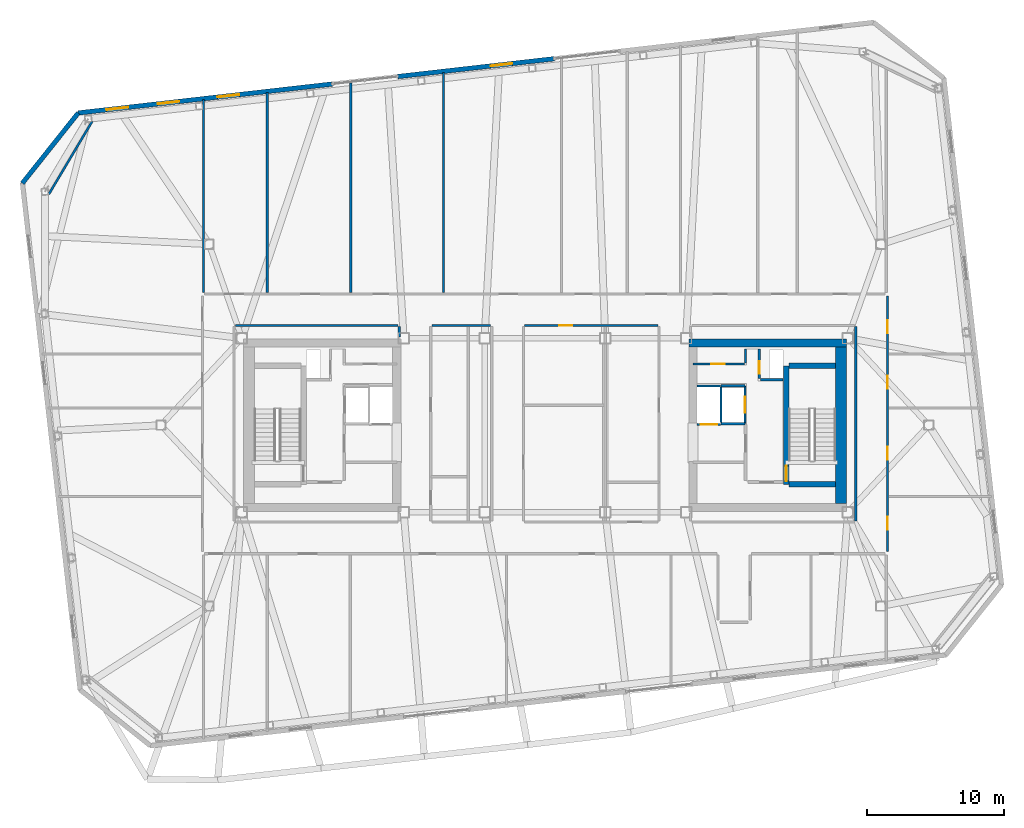
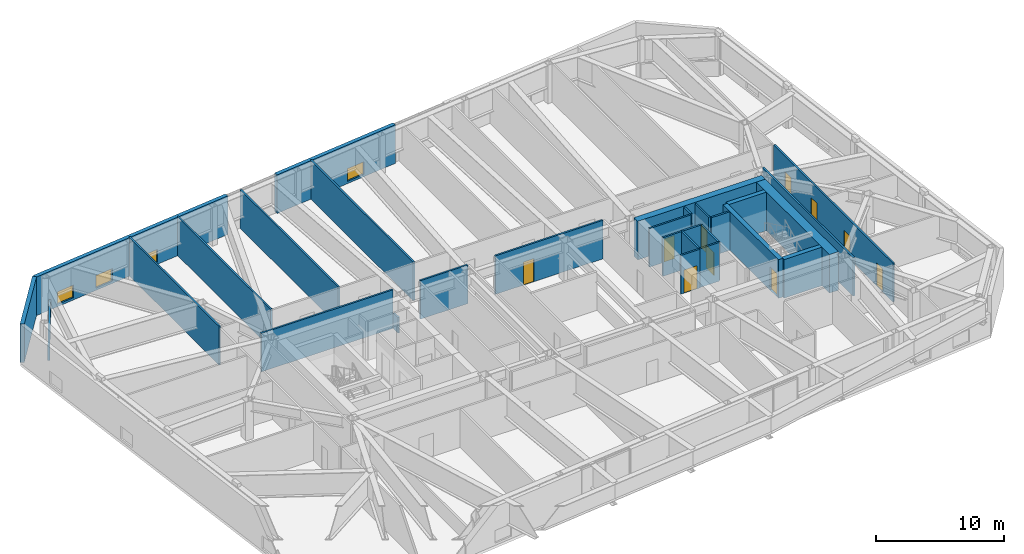
# One storey, part 14 of 18: 29 walls, 10 doors, 4 windows, 14 openings.
"""IFC4 building model written with IfcOpenShell, lengths in metres."""

from ifc_helpers import new_model, si_unit, direction, frame, frame_2d, origin, place, context, subcontext, project, spatial, rectangle, extrude, material, layer, layer_set, type_object, element, fill, save


model = new_model("IFC4")

# Units and contexts
model_context = context("Model", 3, precision=1e-05, world=origin(), true_north=direction((0.0, 1.0)))
body_context = subcontext(model_context, "Body", "Model", "MODEL_VIEW")
ifc_project = project(units=[si_unit("LENGTHUNIT", "METRE"), si_unit("AREAUNIT", "SQUARE_METRE"), si_unit("VOLUMEUNIT", "CUBIC_METRE"), si_unit("PLANEANGLEUNIT", "RADIAN"), si_unit("MASSUNIT", "GRAM", prefix="KILO")], contexts=[model_context])

# Site, building, storey
site_placement = place(None, origin())
site = spatial("IfcSite", under=ifc_project, at=site_placement, CompositionType="ELEMENT")
building_placement = place(site_placement, origin())
building = spatial("IfcBuilding", under=site, at=building_placement, Name="Tavrogorsk Clinical Tower", CompositionType="ELEMENT")
storey_placement = place(building_placement, frame((0.0, 0.0, 267.0)))
storey = spatial("IfcBuildingStorey", under=building, at=storey_placement, Name="L62", CompositionType="ELEMENT", Elevation=267.0)

# Wall, opening, door
ifc_material_1 = material(Name="Lightweight concrete blockwork B15", Category="masonry")
ifc_layer_1 = layer(ifc_material_1, 0.159912109375)
ifc_layer_set_1 = layer_set([ifc_layer_1], Name="Lightweight concrete blockwork B15")
wall_type_1 = type_object("IfcWallType", Name="PartitionWall_160", PredefinedType="PARTITIONING", material=ifc_layer_set_1)
wall_1_placement = place(storey_placement, frame((10.800048828125, 4.4599609375, 0.0), z_axis=(0.0, 0.0, 1.0), x_axis=(1.0, 0.0, 0.0)))
wall_1 = element("IfcWall", 1, at=wall_1_placement, inside=storey, type_object=wall_type_1, Name="L62 Core East Pneumatic Dispatch South Wall", PredefinedType="PARTITIONING", context=body_context, shape_type="SweptSolid", body=[
    extrude(rectangle(XDim=3.7548828125, YDim=0.159912109375, at=frame_2d((1.87744140625, 0.0))), origin(), (0.0, 0.0, 1.0), 3.679931640625),
])
opening_1_placement = place(wall_1_placement, frame((1.35009765625, 0.0, 0.0)))
opening_1 = element("IfcOpeningElement", 2, at=opening_1_placement, cuts=wall_1, Name="Opening ID-02", PredefinedType="OPENING", context=body_context, shape_type="SweptSolid", body=[
    extrude(rectangle(XDim=0.949951171875, YDim=2.199951171875, at=frame_2d((0.47509765625, 1.10009765625))), frame((0.0, 0.08984375, 0.0), z_axis=(0.0, -1.0, 0.0), x_axis=(1.0, 0.0, 0.0)), (0.0, 0.0, 1.0), 0.179931640625),
])
ifc_material_2 = material(Name="Laminated timber leaf on aluminium frame", Category="wood")
door_type_1 = type_object("IfcDoorType", Name="InteriorDoor_ID02_950", OperationType="NOTDEFINED", PredefinedType="DOOR", material=ifc_material_2)
door_1_placement = place(opening_1_placement, origin())
door_1 = element("IfcDoor", 3, at=door_1_placement, inside=storey, type_object=door_type_1, Name="L62 Core East Pneumatic Dispatch Door", OperationType="SINGLE_SWING_LEFT", OverallHeight=2.199951171875, OverallWidth=0.949951171875, PredefinedType="DOOR", context=body_context, shape_type="SweptSolid", body=[
    extrude(rectangle(XDim=0.949951171875, YDim=2.199951171875, at=frame_2d((0.47509765625, 1.10009765625))), frame((0.0, 0.02490234375, 0.0), z_axis=(0.0, -1.0, 0.0), x_axis=(1.0, 0.0, 0.0)), (0.0, 0.0, 1.0), 0.050048828125),
])
fill(opening_1, door_1)

# Walls
wall_2_placement = place(storey_placement, frame((14.639892578125, 4.544921875, 0.0), z_axis=(0.0, 0.0, 1.0), x_axis=(0.0, 1.0, 0.0)))
element("IfcWall", 4, at=wall_2_placement, inside=storey, type_object=wall_type_1, Name="L62 Core East Pneumatic Dispatch East Wall", PredefinedType="PARTITIONING", context=body_context, shape_type="SweptSolid", body=[
    extrude(rectangle(XDim=1.01513671875, YDim=0.159912109375, at=frame_2d((0.507568359375, 0.0))), origin(), (0.0, 0.0, 1.0), 3.679931640625),
])
wall_3_placement = place(storey_placement, frame((-33.016357421875, 22.17138671875, 0.0), z_axis=(0.0, 0.0, 1.0), x_axis=(-0.511385266265, -0.859351563359, 0.0)))
element("IfcWall", 5, at=wall_3_placement, inside=storey, type_object=wall_type_1, Name="L62 Corner Exoskeleton Brace Furring Wall 3", PredefinedType="PARTITIONING", context=body_context, shape_type="SweptSolid", body=[
    extrude(rectangle(XDim=6.181884765625, YDim=0.159912109375, at=frame_2d((3.0908203125, 0.0))), origin(), (0.0, 0.0, 1.0), 1.47509765625),
])

# Wall, openings, doors
wall_4_placement = place(storey_placement, frame((24.97998046875, 9.4150390625, 0.0), z_axis=(0.0, 0.0, 1.0), x_axis=(0.0, -1.0, 0.0)))
wall_4 = element("IfcWall", 6, at=wall_4_placement, inside=storey, type_object=wall_type_1, Name="L62 Corridor Partition 03", PredefinedType="PARTITIONING", context=body_context, shape_type="SweptSolid", body=[
    extrude(rectangle(XDim=18.630126953125, YDim=0.159912109375, at=frame_2d((9.31494140625, 0.0))), origin(), (0.0, 0.0, 1.0), 3.679931640625),
])
opening_2_placement = place(wall_4_placement, frame((16.080810546875, 0.0, 0.0)))
opening_2 = element("IfcOpeningElement", 7, at=opening_2_placement, cuts=wall_4, Name="Opening ID-02", PredefinedType="OPENING", context=body_context, shape_type="SweptSolid", body=[
    extrude(rectangle(XDim=0.949951171875, YDim=2.199951171875, at=frame_2d((0.47509765625, 1.10009765625))), frame((0.0, 0.08984375, 0.0), z_axis=(0.0, -1.0, 0.0), x_axis=(1.0, 0.0, 0.0)), (0.0, 0.0, 1.0), 0.179931640625),
])
opening_3_placement = place(wall_4_placement, frame((11.0, 0.0, 0.0)))
opening_3 = element("IfcOpeningElement", 8, at=opening_3_placement, cuts=wall_4, Name="Opening ID-02", PredefinedType="OPENING", context=body_context, shape_type="SweptSolid", body=[
    extrude(rectangle(XDim=0.949951171875, YDim=2.199951171875, at=frame_2d((0.47509765625, 1.10009765625))), frame((0.0, 0.08984375, 0.0), z_axis=(0.0, -1.0, 0.0), x_axis=(1.0, 0.0, 0.0)), (0.0, 0.0, 1.0), 0.179931640625),
])
opening_4_placement = place(wall_4_placement, frame((5.800048828125, 0.0, 0.0)))
opening_4 = element("IfcOpeningElement", 9, at=opening_4_placement, cuts=wall_4, Name="Opening ID-02", PredefinedType="OPENING", context=body_context, shape_type="SweptSolid", body=[
    extrude(rectangle(XDim=0.949951171875, YDim=2.199951171875, at=frame_2d((0.47509765625, 1.10009765625))), frame((0.0, 0.08984375, 0.0), z_axis=(0.0, -1.0, 0.0), x_axis=(1.0, 0.0, 0.0)), (0.0, 0.0, 1.0), 0.179931640625),
])
opening_5_placement = place(wall_4_placement, frame((1.7490234375, 0.0, 0.0)))
opening_5 = element("IfcOpeningElement", 10, at=opening_5_placement, cuts=wall_4, Name="Opening ID-02", PredefinedType="OPENING", context=body_context, shape_type="SweptSolid", body=[
    extrude(rectangle(XDim=0.949951171875, YDim=2.199951171875, at=frame_2d((0.47509765625, 1.10009765625))), frame((0.0, 0.08984375, 0.0), z_axis=(0.0, -1.0, 0.0), x_axis=(1.0, 0.0, 0.0)), (0.0, 0.0, 1.0), 0.179931640625),
])
door_2_placement = place(opening_2_placement, origin())
door_2 = element("IfcDoor", 11, at=door_2_placement, inside=storey, type_object=door_type_1, Name="L62 E Senior Clinician Suite 1 Door", OperationType="SINGLE_SWING_RIGHT", OverallHeight=2.199951171875, OverallWidth=0.949951171875, PredefinedType="DOOR", context=body_context, shape_type="SweptSolid", body=[
    extrude(rectangle(XDim=0.949951171875, YDim=2.199951171875, at=frame_2d((0.47509765625, 1.10009765625))), frame((0.0, 0.02490234375, 0.0), z_axis=(0.0, -1.0, 0.0), x_axis=(1.0, 0.0, 0.0)), (0.0, 0.0, 1.0), 0.050048828125),
])
fill(opening_2, door_2)
door_3_placement = place(opening_3_placement, origin())
door_3 = element("IfcDoor", 12, at=door_3_placement, inside=storey, type_object=door_type_1, Name="L62 E Multidisciplinary Seminar Suite 2 Door", OperationType="SINGLE_SWING_LEFT", OverallHeight=2.199951171875, OverallWidth=0.949951171875, PredefinedType="DOOR", context=body_context, shape_type="SweptSolid", body=[
    extrude(rectangle(XDim=0.949951171875, YDim=2.199951171875, at=frame_2d((0.47509765625, 1.10009765625))), frame((0.0, 0.02490234375, 0.0), z_axis=(0.0, -1.0, 0.0), x_axis=(1.0, 0.0, 0.0)), (0.0, 0.0, 1.0), 0.050048828125),
])
fill(opening_3, door_3)
door_4_placement = place(opening_4_placement, origin())
door_4 = element("IfcDoor", 13, at=door_4_placement, inside=storey, type_object=door_type_1, Name="L62 E Specialist Consultation Room 3 Door", OperationType="SINGLE_SWING_RIGHT", OverallHeight=2.199951171875, OverallWidth=0.949951171875, PredefinedType="DOOR", context=body_context, shape_type="SweptSolid", body=[
    extrude(rectangle(XDim=0.949951171875, YDim=2.199951171875, at=frame_2d((0.47509765625, 1.10009765625))), frame((0.0, 0.02490234375, 0.0), z_axis=(0.0, -1.0, 0.0), x_axis=(1.0, 0.0, 0.0)), (0.0, 0.0, 1.0), 0.050048828125),
])
fill(opening_4, door_4)
door_5_placement = place(opening_5_placement, origin())
door_5 = element("IfcDoor", 14, at=door_5_placement, inside=storey, type_object=door_type_1, Name="L62 E Clinical Fellows' Study 4 Door", OperationType="SINGLE_SWING_LEFT", OverallHeight=2.199951171875, OverallWidth=0.949951171875, PredefinedType="DOOR", context=body_context, shape_type="SweptSolid", body=[
    extrude(rectangle(XDim=0.949951171875, YDim=2.199951171875, at=frame_2d((0.47509765625, 1.10009765625))), frame((0.0, 0.02490234375, 0.0), z_axis=(0.0, -1.0, 0.0), x_axis=(1.0, 0.0, 0.0)), (0.0, 0.0, 1.0), 0.050048828125),
])
fill(opening_5, door_5)

# Wall
wall_5_placement = place(storey_placement, frame((22.669921875, -6.985107421875, 0.0), z_axis=(0.0, 0.0, 1.0), x_axis=(0.0, 1.0, 0.0)))
element("IfcWall", 15, at=wall_5_placement, inside=storey, type_object=wall_type_1, Name="L62 Corridor Partition 13", PredefinedType="PARTITIONING", context=body_context, shape_type="SweptSolid", body=[
    extrude(rectangle(XDim=14.170166015625, YDim=0.159912109375, at=frame_2d((7.0849609375, 0.0))), origin(), (0.0, 0.0, 1.0), 3.679931640625),
])

# Wall, opening, door
wall_6_placement = place(storey_placement, frame((8.235107421875, 7.27001953125, 0.0), z_axis=(0.0, 0.0, 1.0), x_axis=(-1.0, 0.0, 0.0)))
wall_6 = element("IfcWall", 16, at=wall_6_placement, inside=storey, type_object=wall_type_1, Name="L62 Corridor Partition 14", PredefinedType="PARTITIONING", context=body_context, shape_type="SweptSolid", body=[
    extrude(rectangle(XDim=9.72021484375, YDim=0.159912109375, at=frame_2d((4.860107421875, 0.0))), origin(), (0.0, 0.0, 1.0), 3.679931640625),
])
opening_6_placement = place(wall_6_placement, frame((6.23583984375, 0.0, 0.0)))
opening_6 = element("IfcOpeningElement", 17, at=opening_6_placement, cuts=wall_6, Name="Opening ID-02", PredefinedType="OPENING", context=body_context, shape_type="SweptSolid", body=[
    extrude(rectangle(XDim=0.949951171875, YDim=2.199951171875, at=frame_2d((0.47509765625, 1.10009765625))), frame((0.0, 0.08984375, 0.0), z_axis=(0.0, -1.0, 0.0), x_axis=(1.0, 0.0, 0.0)), (0.0, 0.0, 1.0), 0.179931640625),
])
door_6_placement = place(opening_6_placement, origin())
door_6 = element("IfcDoor", 18, at=door_6_placement, inside=storey, type_object=door_type_1, Name="L62 Nurses' Station & Triage Hub Door", OperationType="SINGLE_SWING_LEFT", OverallHeight=2.199951171875, OverallWidth=0.949951171875, PredefinedType="DOOR", context=body_context, shape_type="SweptSolid", body=[
    extrude(rectangle(XDim=0.949951171875, YDim=2.199951171875, at=frame_2d((0.47509765625, 1.10009765625))), frame((0.0, 0.02490234375, 0.0), z_axis=(0.0, -1.0, 0.0), x_axis=(1.0, 0.0, 0.0)), (0.0, 0.0, 1.0), 0.050048828125),
])
fill(opening_6, door_6)

# Walls
wall_7_placement = place(storey_placement, frame((-3.965087890625, 7.27001953125, 0.0), z_axis=(0.0, 0.0, 1.0), x_axis=(-1.0, 0.0, 0.0)))
element("IfcWall", 19, at=wall_7_placement, inside=storey, type_object=wall_type_1, Name="L62 Corridor Partition 19", PredefinedType="PARTITIONING", context=body_context, shape_type="SweptSolid", body=[
    extrude(rectangle(XDim=4.27001953125, YDim=0.159912109375, at=frame_2d((2.135009765625, 0.0))), origin(), (0.0, 0.0, 1.0), 3.679931640625),
])
wall_8_placement = place(storey_placement, frame((-10.6298828125, 6.419921875, 0.0), z_axis=(0.0, 0.0, 1.0), x_axis=(0.0, 1.0, 0.0)))
element("IfcWall", 20, at=wall_8_placement, inside=storey, type_object=wall_type_1, Name="L62 Corridor Partition 23", PredefinedType="PARTITIONING", context=body_context, shape_type="SweptSolid", body=[
    extrude(rectangle(XDim=0.76513671875, YDim=0.159912109375, at=frame_2d((0.382568359375, 0.0))), origin(), (0.0, 0.0, 1.0), 1.47509765625),
])
wall_9_placement = place(storey_placement, frame((-10.715087890625, 7.27001953125, 0.0), z_axis=(0.0, 0.0, 1.0), x_axis=(-1.0, 0.0, 0.0)))
element("IfcWall", 21, at=wall_9_placement, inside=storey, type_object=wall_type_1, Name="L62 Corridor Partition 24", PredefinedType="PARTITIONING", context=body_context, shape_type="SweptSolid", body=[
    extrude(rectangle(XDim=11.869873046875, YDim=0.159912109375, at=frame_2d((5.93505859375, 0.0))), origin(), (0.0, 0.0, 1.0), 3.679931640625),
])
wall_10_placement = place(storey_placement, frame((-24.89990234375, 9.6650390625, 0.0), z_axis=(0.0, 0.0, 1.0), x_axis=(0.0, 1.0, 0.0)))
element("IfcWall", 22, at=wall_10_placement, inside=storey, type_object=wall_type_1, Name="L62 NW Wing Closure Partition", PredefinedType="PARTITIONING", context=body_context, shape_type="SweptSolid", body=[
    extrude(rectangle(XDim=14.081298828125, YDim=0.159912109375, at=frame_2d((7.04052734375, 0.0))), origin(), (0.0, 0.0, 1.0), 3.679931640625),
])
wall_11_placement = place(storey_placement, frame((-20.25, 9.6650390625, 0.0), z_axis=(0.0, 0.0, 1.0), x_axis=(0.0, 1.0, 0.0)))
element("IfcWall", 23, at=wall_11_placement, inside=storey, type_object=wall_type_1, Name="L62 North Room Partition 1", PredefinedType="PARTITIONING", context=body_context, shape_type="SweptSolid", body=[
    extrude(rectangle(XDim=14.611083984375, YDim=0.159912109375, at=frame_2d((7.3056640625, 0.0))), origin(), (0.0, 0.0, 1.0), 3.679931640625),
])
wall_12_placement = place(storey_placement, frame((-14.159912109375, 9.6650390625, 0.0), z_axis=(0.0, 0.0, 1.0), x_axis=(0.0, 1.0, 0.0)))
element("IfcWall", 24, at=wall_12_placement, inside=storey, type_object=wall_type_1, Name="L62 North Room Partition 2", PredefinedType="PARTITIONING", context=body_context, shape_type="SweptSolid", body=[
    extrude(rectangle(XDim=15.304931640625, YDim=0.159912109375, at=frame_2d((7.65234375, 0.0))), origin(), (0.0, 0.0, 1.0), 3.679931640625),
])
wall_13_placement = place(storey_placement, frame((-7.39990234375, 9.6650390625, 0.0), z_axis=(0.0, 0.0, 1.0), x_axis=(0.0, 1.0, 0.0)))
element("IfcWall", 25, at=wall_13_placement, inside=storey, type_object=wall_type_1, Name="L62 North Room Partition 3", PredefinedType="PARTITIONING", context=body_context, shape_type="SweptSolid", body=[
    extrude(rectangle(XDim=16.0751953125, YDim=0.159912109375, at=frame_2d((8.03759765625, 0.0))), origin(), (0.0, 0.0, 1.0), 3.679931640625),
])

# Wall, opening, window
ifc_material_3 = material(Name="Precast concrete B45 with limestone cladding", Category="masonry")
ifc_layer_2 = layer(ifc_material_3, 0.340087890625)
ifc_layer_set_2 = layer_set([ifc_layer_2], Name="Precast concrete B45 with limestone cladding")
wall_type_2 = type_object("IfcWallType", Name="PrecastLimestoneWall_340", PredefinedType="STANDARD", material=ifc_layer_set_2)
wall_14_placement = place(storey_placement, frame((0.681884765625, 26.7314453125, 0.0), z_axis=(0.0, 0.0, 1.0), x_axis=(-0.993571968199, -0.113202226169, 0.0)))
wall_14 = element("IfcWall", 26, at=wall_14_placement, inside=storey, type_object=wall_type_2, Name="L62 N Limestone Facade Wall 2", PredefinedType="STANDARD", context=body_context, shape_type="SweptSolid", body=[
    extrude(rectangle(XDim=11.497314453125, YDim=0.340087890625, at=frame_2d((5.74853515625, 0.0))), origin(), (0.0, 0.0, 1.0), 3.679931640625),
])
opening_7_placement = place(wall_14_placement, frame((3.074462890625, 0.0, 0.219970703125)))
opening_7 = element("IfcOpeningElement", 27, at=opening_7_placement, cuts=wall_14, Name="Opening WN-09", PredefinedType="OPENING", context=body_context, shape_type="SweptSolid", body=[
    extrude(rectangle(XDim=1.60009765625, YDim=1.199951171875, at=frame_2d((0.800048828125, 0.60009765625))), frame((0.0, 0.179931640625, 0.0), z_axis=(0.0, -1.0, 0.0), x_axis=(1.0, 0.0, 0.0)), (0.0, 0.0, 1.0), 0.360107421875),
])
ifc_material_4 = material(Name="Thermally broken aluminium frame and triple IGU", Category="aluminium")
window_type = type_object("IfcWindowType", Name="LowHeadTransWin_1600x1200", PartitioningType="DOUBLE_PANEL_VERTICAL", PredefinedType="WINDOW", material=ifc_material_4)
window_1_placement = place(opening_7_placement, origin())
window_1 = element("IfcWindow", 28, at=window_1_placement, inside=storey, type_object=window_type, Name="L62 N Chicago Window 06", OverallHeight=1.199951171875, OverallWidth=1.60009765625, PartitioningType="SINGLE_PANEL", PredefinedType="WINDOW", context=body_context, shape_type="SweptSolid", body=[
    extrude(rectangle(XDim=1.60009765625, YDim=1.199951171875, at=frame_2d((0.800048828125, 0.60009765625))), frame((0.0, 0.030029296875, 0.0), z_axis=(0.0, -1.0, 0.0), x_axis=(1.0, 0.0, 0.0)), (0.0, 0.0, 1.0), 0.06005859375),
])
fill(opening_7, window_1)

# Wall, openings, windows
wall_15_placement = place(storey_placement, frame((-15.510498046875, 24.886474609375, 0.0), z_axis=(0.0, 0.0, 1.0), x_axis=(-0.993572271362, -0.113199565282, 0.0)))
wall_15 = element("IfcWall", 29, at=wall_15_placement, inside=storey, type_object=wall_type_2, Name="L62 N Limestone Facade Wall 3", PredefinedType="STANDARD", context=body_context, shape_type="SweptSolid", body=[
    extrude(rectangle(XDim=18.6513671875, YDim=0.340087890625, at=frame_2d((9.32568359375, 0.0))), origin(), (0.0, 0.0, 1.0), 3.679931640625),
])
opening_8_placement = place(wall_15_placement, frame((14.97119140625, 0.0, 0.219970703125)))
opening_8 = element("IfcOpeningElement", 30, at=opening_8_placement, cuts=wall_15, Name="Opening WN-09", PredefinedType="OPENING", context=body_context, shape_type="SweptSolid", body=[
    extrude(rectangle(XDim=1.60009765625, YDim=1.199951171875, at=frame_2d((0.800048828125, 0.60009765625))), frame((0.0, 0.179931640625, 0.0), z_axis=(0.0, -1.0, 0.0), x_axis=(1.0, 0.0, 0.0)), (0.0, 0.0, 1.0), 0.360107421875),
])
opening_9_placement = place(wall_15_placement, frame((11.222900390625, 0.0, 0.219970703125)))
opening_9 = element("IfcOpeningElement", 31, at=opening_9_placement, cuts=wall_15, Name="Opening WN-09", PredefinedType="OPENING", context=body_context, shape_type="SweptSolid", body=[
    extrude(rectangle(XDim=1.60009765625, YDim=1.199951171875, at=frame_2d((0.800048828125, 0.60009765625))), frame((0.0, 0.179931640625, 0.0), z_axis=(0.0, -1.0, 0.0), x_axis=(1.0, 0.0, 0.0)), (0.0, 0.0, 1.0), 0.360107421875),
])
opening_10_placement = place(wall_15_placement, frame((6.82275390625, 0.0, 0.219970703125)))
opening_10 = element("IfcOpeningElement", 32, at=opening_10_placement, cuts=wall_15, Name="Opening WN-09", PredefinedType="OPENING", context=body_context, shape_type="SweptSolid", body=[
    extrude(rectangle(XDim=1.60009765625, YDim=1.199951171875, at=frame_2d((0.800048828125, 0.60009765625))), frame((0.0, 0.179931640625, 0.0), z_axis=(0.0, -1.0, 0.0), x_axis=(1.0, 0.0, 0.0)), (0.0, 0.0, 1.0), 0.360107421875),
])
window_2_placement = place(opening_8_placement, origin())
window_2 = element("IfcWindow", 33, at=window_2_placement, inside=storey, type_object=window_type, Name="L62 N Chicago Window 01", OverallHeight=1.199951171875, OverallWidth=1.60009765625, PartitioningType="SINGLE_PANEL", PredefinedType="WINDOW", context=body_context, shape_type="SweptSolid", body=[
    extrude(rectangle(XDim=1.60009765625, YDim=1.199951171875, at=frame_2d((0.800048828125, 0.60009765625))), frame((0.0, 0.030029296875, 0.0), z_axis=(0.0, -1.0, 0.0), x_axis=(1.0, 0.0, 0.0)), (0.0, 0.0, 1.0), 0.06005859375),
])
fill(opening_8, window_2)
window_3_placement = place(opening_9_placement, origin())
window_3 = element("IfcWindow", 34, at=window_3_placement, inside=storey, type_object=window_type, Name="L62 N Chicago Window 02", OverallHeight=1.199951171875, OverallWidth=1.60009765625, PartitioningType="SINGLE_PANEL", PredefinedType="WINDOW", context=body_context, shape_type="SweptSolid", body=[
    extrude(rectangle(XDim=1.60009765625, YDim=1.199951171875, at=frame_2d((0.800048828125, 0.60009765625))), frame((0.0, 0.030029296875, 0.0), z_axis=(0.0, -1.0, 0.0), x_axis=(1.0, 0.0, 0.0)), (0.0, 0.0, 1.0), 0.06005859375),
])
fill(opening_9, window_3)
window_4_placement = place(opening_10_placement, origin())
window_4 = element("IfcWindow", 35, at=window_4_placement, inside=storey, type_object=window_type, Name="L62 N Chicago Window 03", OverallHeight=1.199951171875, OverallWidth=1.60009765625, PartitioningType="SINGLE_PANEL", PredefinedType="WINDOW", context=body_context, shape_type="SweptSolid", body=[
    extrude(rectangle(XDim=1.60009765625, YDim=1.199951171875, at=frame_2d((0.800048828125, 0.60009765625))), frame((0.0, 0.030029296875, 0.0), z_axis=(0.0, -1.0, 0.0), x_axis=(1.0, 0.0, 0.0)), (0.0, 0.0, 1.0), 0.06005859375),
])
fill(opening_10, window_4)

# Wall
wall_16_placement = place(storey_placement, frame((-34.0419921875, 22.775146484375, 0.0), z_axis=(0.0, 0.0, 1.0), x_axis=(-0.62252823689, -0.78259733853, 0.0)))
element("IfcWall", 36, at=wall_16_placement, inside=storey, type_object=wall_type_2, Name="L62 Chamfered Corner Wall 3", PredefinedType="STANDARD", context=body_context, shape_type="SweptSolid", body=[
    extrude(rectangle(XDim=6.5478515625, YDim=0.340087890625, at=frame_2d((3.27392578125, 0.0))), origin(), (0.0, 0.0, 1.0), 3.679931640625),
])

# Wall, opening, door
ifc_material_5 = material(Name="Lightweight concrete blockwork B25", Category="masonry")
ifc_layer_3 = layer(ifc_material_5, 0.159912109375)
ifc_layer_set_3 = layer_set([ifc_layer_3], Name="Lightweight concrete blockwork B25")
wall_type_3 = type_object("IfcWallType", Name="ShaftWall_160", PredefinedType="PARTITIONING", material=ifc_layer_set_3)
wall_17_placement = place(storey_placement, frame((14.60009765625, 0.1201171875, 0.0), z_axis=(0.0, 0.0, 1.0), x_axis=(0.0, 1.0, 0.0)))
wall_17 = element("IfcWall", 37, at=wall_17_placement, inside=storey, type_object=wall_type_3, Name="L62 FFL-E Firefighting Lift Front Wall", PredefinedType="PARTITIONING", context=body_context, shape_type="SweptSolid", body=[
    extrude(rectangle(XDim=2.739990234375, YDim=0.159912109375, at=frame_2d((1.3701171875, 0.0))), origin(), (0.0, 0.0, 1.0), 3.679931640625),
])
opening_11_placement = place(wall_17_placement, frame((0.77001953125, 0.0, 0.0)))
opening_11 = element("IfcOpeningElement", 38, at=opening_11_placement, cuts=wall_17, Name="Opening LD", PredefinedType="OPENING", context=body_context, shape_type="SweptSolid", body=[
    extrude(rectangle(XDim=1.199951171875, YDim=2.199951171875, at=frame_2d((0.60009765625, 1.10009765625))), frame((0.0, 0.08984375, 0.0), z_axis=(0.0, -1.0, 0.0), x_axis=(1.0, 0.0, 0.0)), (0.0, 0.0, 1.0), 0.179931640625),
])
ifc_material_6 = material(Name="Brushed stainless steel AISI 304 sliding doors", Category="steel")
door_type_2 = type_object("IfcDoorType", Name="LiftLandingDoor_LD_1200", OperationType="SLIDING_TO_LEFT", PredefinedType="DOOR", material=ifc_material_6)
door_7_placement = place(opening_11_placement, origin())
door_7 = element("IfcDoor", 39, at=door_7_placement, inside=storey, type_object=door_type_2, Name="L62 FFL-E Sliding Lift Landing Door", OperationType="SLIDING_TO_LEFT", OverallHeight=2.199951171875, OverallWidth=1.199951171875, PredefinedType="DOOR", context=body_context, shape_type="SweptSolid", body=[
    extrude(rectangle(XDim=1.199951171875, YDim=2.199951171875, at=frame_2d((0.60009765625, 1.10009765625))), frame((0.0, 0.02490234375, 0.0), z_axis=(0.0, -1.0, 0.0), x_axis=(1.0, 0.0, 0.0)), (0.0, 0.0, 1.0), 0.050048828125),
])
fill(opening_11, door_7)

# Walls
for number, where, z_axis, x_axis, name in (
    (40, (12.840087890625, 0.10009765625, 0.0), (0.0, 0.0, 1.0), (1.0, 0.0, 0.0), "L62 FFL-E Shaft South Wall"),
    (41, (12.840087890625, 2.8798828125, 0.0), (0.0, 0.0, 1.0), (1.0, 0.0, 0.0), "L62 FFL-E Shaft North Wall"),
):
    element("IfcWall", number, at=place(storey_placement, frame(where, z_axis=z_axis, x_axis=x_axis)), inside=storey, type_object=wall_type_3, Name=name, PredefinedType="PARTITIONING", context=body_context, shape_type="SweptSolid", body=[
        extrude(rectangle(XDim=1.760009765625, YDim=0.159912109375, at=frame_2d((0.8798828125, 0.0))), origin(), (0.0, 0.0, 1.0), 3.679931640625),
    ])
wall_18_placement = place(storey_placement, frame((12.840087890625, 0.179931640625, 0.0), z_axis=(0.0, 0.0, 1.0), x_axis=(0.0, 1.0, 0.0)))
element("IfcWall", 42, at=wall_18_placement, inside=storey, type_object=wall_type_3, Name="L62 FFL-E Shaft Back Wall", PredefinedType="PARTITIONING", context=body_context, shape_type="SweptSolid", body=[
    extrude(rectangle(XDim=2.6201171875, YDim=0.159912109375, at=frame_2d((1.31005859375, 0.0))), origin(), (0.0, 0.0, 1.0), 3.679931640625),
])

# Wall, opening, door
wall_19_placement = place(storey_placement, frame((11.10009765625, 0.06005859375, 0.0), z_axis=(0.0, 0.0, 1.0), x_axis=(1.0, 0.0, 0.0)))
wall_19 = element("IfcWall", 43, at=wall_19_placement, inside=storey, type_object=wall_type_3, Name="L62 LP-H2 High-Zone Lift Portal Wall", PredefinedType="PARTITIONING", context=body_context, shape_type="SweptSolid", body=[
    extrude(rectangle(XDim=1.719970703125, YDim=0.159912109375, at=frame_2d((0.85986328125, 0.0))), origin(), (0.0, 0.0, 1.0), 3.679931640625),
])
opening_12_placement = place(wall_19_placement, frame((0.260009765625, 0.0, 0.0)))
opening_12 = element("IfcOpeningElement", 44, at=opening_12_placement, cuts=wall_19, Name="Opening LD", PredefinedType="OPENING", context=body_context, shape_type="SweptSolid", body=[
    extrude(rectangle(XDim=1.199951171875, YDim=2.199951171875, at=frame_2d((0.60009765625, 1.10009765625))), frame((0.0, 0.08984375, 0.0), z_axis=(0.0, -1.0, 0.0), x_axis=(1.0, 0.0, 0.0)), (0.0, 0.0, 1.0), 0.179931640625),
])
door_8_placement = place(opening_12_placement, origin())
door_8 = element("IfcDoor", 45, at=door_8_placement, inside=storey, type_object=door_type_2, Name="L62 LP-H2 Sliding Lift Landing Door", OperationType="SLIDING_TO_LEFT", OverallHeight=2.199951171875, OverallWidth=1.199951171875, PredefinedType="DOOR", context=body_context, shape_type="SweptSolid", body=[
    extrude(rectangle(XDim=1.199951171875, YDim=2.199951171875, at=frame_2d((0.60009765625, 1.10009765625))), frame((0.0, 0.02490234375, 0.0), z_axis=(0.0, -1.0, 0.0), x_axis=(1.0, 0.0, 0.0)), (0.0, 0.0, 1.0), 0.050048828125),
])
fill(opening_12, door_8)

# Wall
wall_20_placement = place(storey_placement, frame((11.10009765625, 2.860107421875, 0.0), z_axis=(0.0, 0.0, 1.0), x_axis=(1.0, 0.0, 0.0)))
element("IfcWall", 46, at=wall_20_placement, inside=storey, type_object=wall_type_3, Name="L62 LP-H2 High-Zone Lift Rear Wall", PredefinedType="PARTITIONING", context=body_context, shape_type="SweptSolid", body=[
    extrude(rectangle(XDim=1.719970703125, YDim=0.159912109375, at=frame_2d((0.85986328125, 0.0))), origin(), (0.0, 0.0, 1.0), 3.679931640625),
])

# Wall, opening, door
wall_21_placement = place(storey_placement, frame((15.639892578125, 3.405029296875, 0.0), z_axis=(0.0, 0.0, 1.0), x_axis=(0.0, 1.0, 0.0)))
wall_21 = element("IfcWall", 47, at=wall_21_placement, inside=storey, type_object=wall_type_3, Name="L62 Core East Riser West Wall", PredefinedType="PARTITIONING", context=body_context, shape_type="SweptSolid", body=[
    extrude(rectangle(XDim=2.155029296875, YDim=0.159912109375, at=frame_2d((1.07763671875, 0.0))), origin(), (0.0, 0.0, 1.0), 3.679931640625),
])
opening_13_placement = place(wall_21_placement, frame((0.35009765625, 0.0, 0.0)))
opening_13 = element("IfcOpeningElement", 48, at=opening_13_placement, cuts=wall_21, Name="Opening FD-02", PredefinedType="OPENING", context=body_context, shape_type="SweptSolid", body=[
    extrude(rectangle(XDim=0.89990234375, YDim=2.199951171875, at=frame_2d((0.449951171875, 1.10009765625))), frame((0.0, 0.08984375, 0.0), z_axis=(0.0, -1.0, 0.0), x_axis=(1.0, 0.0, 0.0)), (0.0, 0.0, 1.0), 0.179931640625),
])
ifc_material_7 = material(Name="Galvanised steel fire-rated door assembly", Category="steel")
door_type_3 = type_object("IfcDoorType", Name="FireDoor_FD02_900", OperationType="NOTDEFINED", PredefinedType="DOOR", material=ifc_material_7)
door_9_placement = place(opening_13_placement, origin())
door_9 = element("IfcDoor", 49, at=door_9_placement, inside=storey, type_object=door_type_3, Name="L62 Core East Electrical Riser Access Door", OperationType="SINGLE_SWING_LEFT", OverallHeight=2.199951171875, OverallWidth=0.89990234375, PredefinedType="DOOR", context=body_context, shape_type="SweptSolid", body=[
    extrude(rectangle(XDim=0.89990234375, YDim=2.199951171875, at=frame_2d((0.449951171875, 1.10009765625))), frame((0.0, 0.02490234375, 0.0), z_axis=(0.0, -1.0, 0.0), x_axis=(1.0, 0.0, 0.0)), (0.0, 0.0, 1.0), 0.050048828125),
])
fill(opening_13, door_9)

# Wall
wall_22_placement = place(storey_placement, frame((15.72509765625, 3.320068359375, 0.0), z_axis=(0.0, 0.0, 1.0), x_axis=(1.0, 0.0, 0.0)))
element("IfcWall", 50, at=wall_22_placement, inside=storey, type_object=wall_type_3, Name="L62 Core East Riser South Wall", PredefinedType="PARTITIONING", context=body_context, shape_type="SweptSolid", body=[
    extrude(rectangle(XDim=1.65478515625, YDim=0.159912109375, at=frame_2d((0.827392578125, 0.0))), origin(), (0.0, 0.0, 1.0), 3.679931640625),
])

# Wall, opening, door
ifc_material_8 = material(Name="Concrete B80", Category="concrete")
ifc_layer_4 = layer(ifc_material_8, 0.39990234375)
ifc_layer_set_4 = layer_set([ifc_layer_4], Name="Concrete B80")
wall_type_4 = type_object("IfcWallType", Name="ShearWall_400", PredefinedType="SHEAR", material=ifc_layer_set_4)
wall_23_placement = place(storey_placement, frame((17.60009765625, -4.324951171875, 0.0), z_axis=(0.0, 0.0, 1.0), x_axis=(0.0, 1.0, 0.0)))
wall_23 = element("IfcWall", 51, at=wall_23_placement, inside=storey, type_object=wall_type_4, Name="L62 Core East Stair Shaft Inner Shear Wall", PredefinedType="SHEAR", context=body_context, shape_type="SweptSolid", body=[
    extrude(rectangle(XDim=8.64990234375, YDim=0.39990234375, at=frame_2d((4.324951171875, 0.0))), origin(), (0.0, 0.0, 1.0), 3.679931640625),
])
opening_14_placement = place(wall_23_placement, frame((0.25, 0.0, 0.0)))
opening_14 = element("IfcOpeningElement", 52, at=opening_14_placement, cuts=wall_23, Name="Opening SD-01", PredefinedType="OPENING", context=body_context, shape_type="SweptSolid", body=[
    extrude(rectangle(XDim=1.10009765625, YDim=2.199951171875, at=frame_2d((0.550048828125, 1.10009765625))), frame((0.0, 0.2099609375, 0.0), z_axis=(0.0, -1.0, 0.0), x_axis=(1.0, 0.0, 0.0)), (0.0, 0.0, 1.0), 0.419921875),
])
ifc_material_9 = material(Name="Galvanised steel smoke-tight fire door assembly", Category="steel")
door_type_4 = type_object("IfcDoorType", Name="StairFireDoor_SD01_1100", OperationType="NOTDEFINED", PredefinedType="DOOR", material=ifc_material_9)
door_10_placement = place(opening_14_placement, origin())
door_10 = element("IfcDoor", 53, at=door_10_placement, inside=storey, type_object=door_type_4, Name="L62 ST-E Exit Stair Door", OperationType="SINGLE_SWING_RIGHT", OverallHeight=2.199951171875, OverallWidth=1.10009765625, PredefinedType="DOOR", context=body_context, shape_type="SweptSolid", body=[
    extrude(rectangle(XDim=1.10009765625, YDim=2.199951171875, at=frame_2d((0.550048828125, 1.10009765625))), frame((0.0, 0.02490234375, 0.0), z_axis=(0.0, -1.0, 0.0), x_axis=(1.0, 0.0, 0.0)), (0.0, 0.0, 1.0), 0.050048828125),
])
fill(opening_14, door_10)

# Walls
for number, where, z_axis, x_axis, name in (
    (54, (17.800048828125, -4.324951171875, 0.0), (0.0, 0.0, 1.0), (1.0, 0.0, 0.0), "L62 Core East Stair Shaft South Shear Wall"),
    (55, (17.800048828125, 4.324951171875, 0.0), (0.0, 0.0, 1.0), (1.0, 0.0, 0.0), "L62 Core East Stair Shaft North Shear Wall"),
):
    element("IfcWall", number, at=place(storey_placement, frame(where, z_axis=z_axis, x_axis=x_axis)), inside=storey, type_object=wall_type_4, Name=name, PredefinedType="SHEAR", context=body_context, shape_type="SweptSolid", body=[
        extrude(rectangle(XDim=3.39990234375, YDim=0.39990234375, at=frame_2d((1.699951171875, 0.0))), origin(), (0.0, 0.0, 1.0), 3.679931640625),
    ])
ifc_material_10 = material(Name="Concrete B80", Category="concrete")
ifc_layer_5 = layer(ifc_material_10, 0.60009765625)
ifc_layer_set_5 = layer_set([ifc_layer_5], Name="Concrete B80")
wall_type_5 = type_object("IfcWallType", Name="ShearWall_600", PredefinedType="SHEAR", material=ifc_layer_set_5)
wall_24_placement = place(storey_placement, frame((10.5, 6.0, 0.0), z_axis=(0.0, 0.0, 1.0), x_axis=(1.0, 0.0, 0.0)))
element("IfcWall", 56, at=wall_24_placement, inside=storey, type_object=wall_type_5, Name="L62 Core East North Shear Wall", PredefinedType="SHEAR", context=body_context, shape_type="SweptSolid", body=[
    extrude(rectangle(XDim=11.5, YDim=0.60009765625, at=frame_2d((5.75, 0.0))), origin(), (0.0, 0.0, 1.0), 3.679931640625),
])
ifc_material_11 = material(Name="Concrete B80", Category="concrete")
ifc_layer_6 = layer(ifc_material_11, 0.800048828125)
ifc_layer_set_6 = layer_set([ifc_layer_6], Name="Concrete B80")
wall_type_6 = type_object("IfcWallType", Name="ShearWall_800", PredefinedType="SHEAR", material=ifc_layer_set_6)
wall_25_placement = place(storey_placement, frame((21.60009765625, -5.699951171875, 0.0), z_axis=(0.0, 0.0, 1.0), x_axis=(0.0, 1.0, 0.0)))
element("IfcWall", 57, at=wall_25_placement, inside=storey, type_object=wall_type_6, Name="L62 Core East End Shear Wall", PredefinedType="SHEAR", context=body_context, shape_type="SweptSolid", body=[
    extrude(rectangle(XDim=11.39990234375, YDim=0.800048828125, at=frame_2d((5.699951171875, 0.0))), origin(), (0.0, 0.0, 1.0), 3.679931640625),
])

save(model, "model.ifc")
